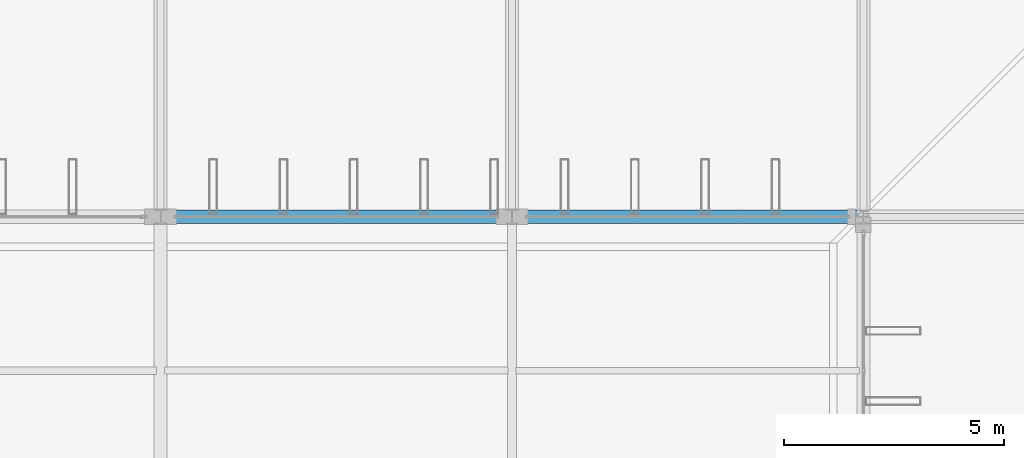
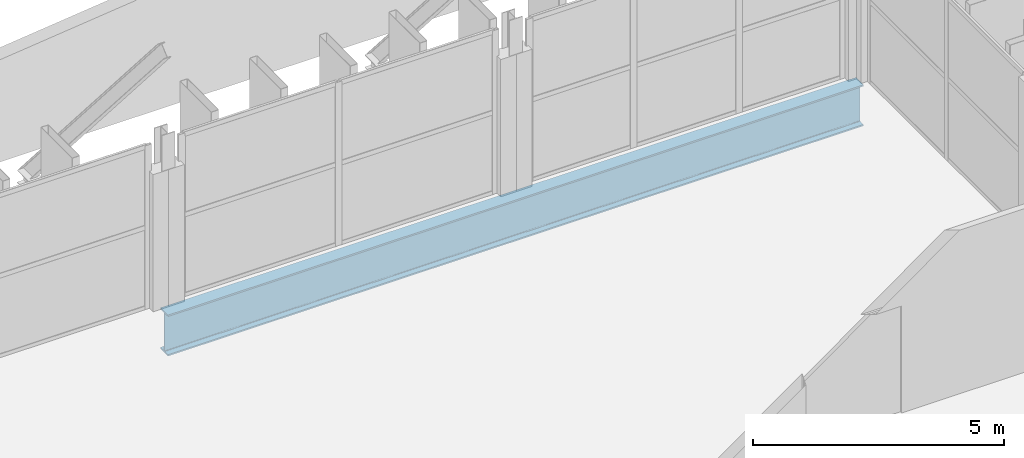
# One storey, part 56 of 93: 1 beam.
"""IFC4 building model written with IfcOpenShell, lengths in metres."""

from ifc_helpers import new_model, si_unit, direction, frame, origin, origin_2d, place, context, subcontext, project, spatial, i_section, extrude, material, material_profile, profile_set, type_object, element, save


model = new_model("IFC4")

# Units and contexts
model_context = context("Model", 3, precision=1e-05, world=origin(), true_north=direction((0.0, 1.0)))
body_context = subcontext(model_context, "Body", "Model", "MODEL_VIEW")
ifc_project = project(units=[si_unit("LENGTHUNIT", "METRE"), si_unit("AREAUNIT", "SQUARE_METRE"), si_unit("VOLUMEUNIT", "CUBIC_METRE"), si_unit("PLANEANGLEUNIT", "RADIAN"), si_unit("MASSUNIT", "GRAM", prefix="KILO")], contexts=[model_context])

# Site, building, storey
site_placement = place(None, origin())
site = spatial("IfcSite", under=ifc_project, at=site_placement, CompositionType="ELEMENT")
building_placement = place(site_placement, origin())
building = spatial("IfcBuilding", under=site, at=building_placement, Name="Vekula Escarpment Museum", CompositionType="ELEMENT")
storey_placement = place(building_placement, frame((0.0, 0.0, 22.199951171875)))
storey = spatial("IfcBuildingStorey", under=building, at=storey_placement, Name="L05", CompositionType="ELEMENT", Elevation=22.199951171875)

# Beam
ifc_material = material(Name="Steel S355", Category="steel")
ifc_material_profile = material_profile(ifc_material, i_section(OverallWidth=0.300048828125, OverallDepth=1.0, WebThickness=0.01904296875, FlangeThickness=0.035888671875, FilletRadius=0.030029296875, at=origin_2d()), Name="HEB 1000")
ifc_profile_set = profile_set([ifc_material_profile], Name="Steel S355")
beam_type = type_object("IfcBeamType", Name="BM-TRUSS-CHORD-BOT", PredefinedType="BEAM", material=ifc_profile_set)
beam_placement = place(storey_placement, frame((110.0, 90.39990234375, -0.719970703125), z_axis=(1.0, 0.0, 0.0), x_axis=(0.0, 1.0, 0.0)))
element("IfcBeam", 1, at=beam_placement, inside=storey, type_object=beam_type, Name="Beam X L05 2051", PredefinedType="BEAM", context=body_context, shape_type="SweptSolid", body=[
    extrude(i_section(OverallWidth=0.300048828125, OverallDepth=1.0, WebThickness=0.01904296875, FlangeThickness=0.035888671875, FilletRadius=0.030029296875, at=origin_2d()), origin(), (0.0, 0.0, 1.0), 16.0),
])

save(model, "model.ifc")
